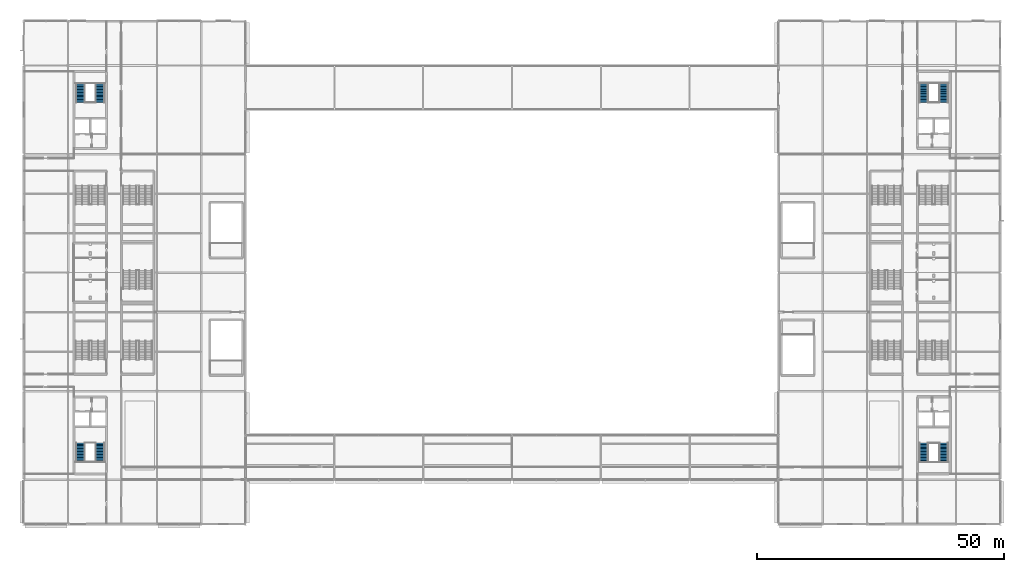
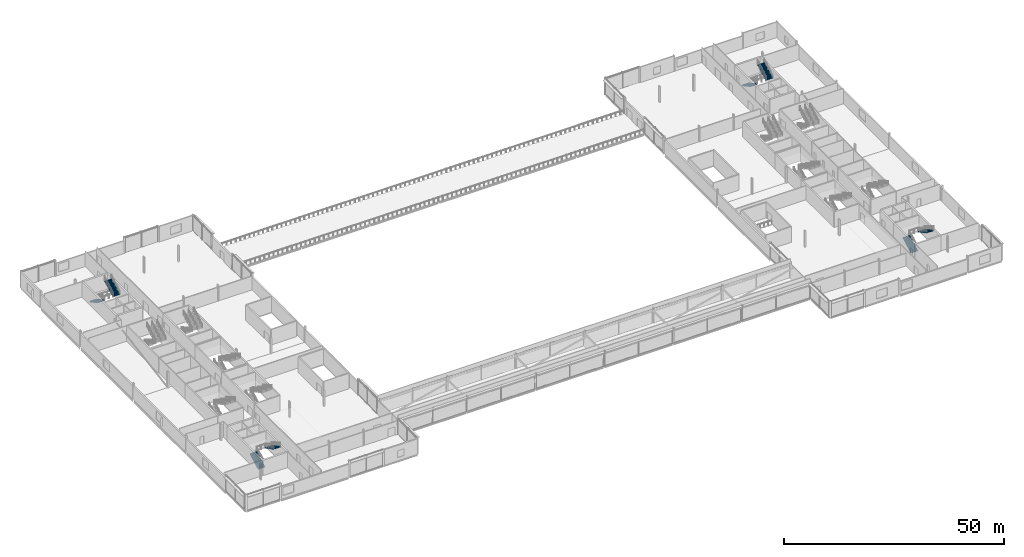
# One storey, part 47 of 73: 8 stair flights, 4 elements without a shape of their own.
"""IFC4 building model written with IfcOpenShell, lengths in metres."""

from ifc_helpers import new_model, si_unit, direction, frame, origin, place, context, subcontext, project, spatial, polyline, outline, extrude, material, type_object, element, aggregate, save


model = new_model("IFC4")

# Units and contexts
model_context = context("Model", 3, precision=1e-05, world=origin(), true_north=direction((0.0, 1.0)))
body_context = subcontext(model_context, "Body", "Model", "MODEL_VIEW")
ifc_project = project(units=[si_unit("LENGTHUNIT", "METRE"), si_unit("AREAUNIT", "SQUARE_METRE"), si_unit("VOLUMEUNIT", "CUBIC_METRE"), si_unit("PLANEANGLEUNIT", "RADIAN"), si_unit("MASSUNIT", "GRAM", prefix="KILO")], contexts=[model_context])

# Site, building, storey
site_placement = place(None, origin())
site = spatial("IfcSite", under=ifc_project, at=site_placement, CompositionType="ELEMENT")
building_placement = place(site_placement, origin())
building = spatial("IfcBuilding", under=site, at=building_placement, Name="Kisiwana Market Hall", CompositionType="ELEMENT")
storey_placement = place(building_placement, frame((0.0, 0.0, 33.300048828125)))
storey = spatial("IfcBuildingStorey", under=building, at=storey_placement, Name="L07", CompositionType="ELEMENT", Elevation=33.300048828125)

# Stair, stair flights
ifc_material_1 = material(Name="Concrete C32/40", Category="concrete")
stair_type = type_object("IfcStairType", Name="ST-TWR-4500", PredefinedType="TWO_STRAIGHT_RUN_STAIR", material=ifc_material_1)
stair_1_placement = place(storey_placement, origin())
stair_1 = element("IfcStair", 1, at=stair_1_placement, inside=storey, type_object=stair_type, Name="Escape stair ST-W2-L07", PredefinedType="TWO_STRAIGHT_RUN_STAIR")
ifc_material_2 = material(Name="Concrete C32/40", Category="concrete")
stair_flight_type = type_object("IfcStairFlightType", Name="SF-TWR-4500", PredefinedType="STRAIGHT", material=ifc_material_2)
stair_flight_1_placement = place(storey_placement, frame((11.5, 21.674560546875, 0.0), z_axis=(0.0, 0.0, 1.0), x_axis=(0.0, 1.0, 0.0)))
stair_flight_1 = element("IfcStairFlight", 2, at=stair_flight_1_placement, type_object=stair_flight_type, Name="ST-W2-L07 flight 1", NumberOfRisers=14, NumberOfTreads=13, PredefinedType="STRAIGHT", RiserHeight=0.160714, TreadLength=0.295, context=body_context, shape_type="SweptSolid", body=[
    extrude(outline(polyline([(0.0, 0.0), (0.0, 0.16064453125), (0.294921875, 0.16064453125), (0.294921875, 0.321533203125), (0.590087890625, 0.321533203125), (0.590087890625, 0.482177734375), (0.885009765625, 0.482177734375), (0.885009765625, 0.642822265625), (1.179931640625, 0.642822265625), (1.179931640625, 0.803466796875), (1.47509765625, 0.803466796875), (1.47509765625, 0.96435546875), (1.77001953125, 0.96435546875), (1.77001953125, 1.125), (2.06494140625, 1.125), (2.06494140625, 1.28564453125), (2.360107421875, 1.28564453125), (2.360107421875, 1.446533203125), (2.655029296875, 1.446533203125), (2.655029296875, 1.607177734375), (2.949951171875, 1.607177734375), (2.949951171875, 1.767822265625), (3.2451171875, 1.767822265625), (3.2451171875, 1.928466796875), (3.5400390625, 1.928466796875), (3.5400390625, 2.08935546875), (3.8349609375, 2.08935546875), (3.8349609375, 2.25), (3.8349609375, 1.88427734375), (0.376220703125, 0.0), (0.0, 0.0)])), frame((0.0, 0.925048828125, 0.0), z_axis=(0.0, -1.0, 0.0), x_axis=(1.0, 0.0, 0.0)), (0.0, 0.0, 1.0), 1.85009765625),
])
stair_flight_2_placement = place(storey_placement, frame((15.5, 25.509521484375, 2.25), z_axis=(0.0, 0.0, 1.0), x_axis=(0.0, -1.0, 0.0)))
stair_flight_2 = element("IfcStairFlight", 3, at=stair_flight_2_placement, type_object=stair_flight_type, Name="ST-W2-L07 flight 2", NumberOfRisers=14, NumberOfTreads=13, PredefinedType="STRAIGHT", RiserHeight=0.160714, TreadLength=0.295, context=body_context, shape_type="SweptSolid", body=[
    extrude(outline(polyline([(0.0, 0.0), (0.0, 0.16064453125), (0.294921875, 0.16064453125), (0.294921875, 0.321533203125), (0.590087890625, 0.321533203125), (0.590087890625, 0.482177734375), (0.885009765625, 0.482177734375), (0.885009765625, 0.642822265625), (1.179931640625, 0.642822265625), (1.179931640625, 0.803466796875), (1.47509765625, 0.803466796875), (1.47509765625, 0.96435546875), (1.77001953125, 0.96435546875), (1.77001953125, 1.125), (2.06494140625, 1.125), (2.06494140625, 1.28564453125), (2.360107421875, 1.28564453125), (2.360107421875, 1.446533203125), (2.655029296875, 1.446533203125), (2.655029296875, 1.607177734375), (2.949951171875, 1.607177734375), (2.949951171875, 1.767822265625), (3.2451171875, 1.767822265625), (3.2451171875, 1.928466796875), (3.5400390625, 1.928466796875), (3.5400390625, 2.08935546875), (3.8349609375, 2.08935546875), (3.8349609375, 2.25), (3.8349609375, 1.88427734375), (0.376220703125, 0.0), (0.0, 0.0)])), frame((0.0, 0.925048828125, 0.0), z_axis=(0.0, -1.0, 0.0), x_axis=(1.0, 0.0, 0.0)), (0.0, 0.0, 1.0), 1.85009765625),
])
aggregate(stair_1, [stair_flight_1, stair_flight_2])

stair_2_placement = place(storey_placement, origin())
stair_2 = element("IfcStair", 4, at=stair_2_placement, inside=storey, type_object=stair_type, Name="Escape stair ST-W1-L07", PredefinedType="TWO_STRAIGHT_RUN_STAIR")
stair_flight_3_placement = place(storey_placement, frame((11.5, 98.325439453125, 0.0), z_axis=(0.0, 0.0, 1.0), x_axis=(0.0, -1.0, 0.0)))
stair_flight_3 = element("IfcStairFlight", 5, at=stair_flight_3_placement, type_object=stair_flight_type, Name="ST-W1-L07 flight 1", NumberOfRisers=14, NumberOfTreads=13, PredefinedType="STRAIGHT", RiserHeight=0.160714, TreadLength=0.295, context=body_context, shape_type="SweptSolid", body=[
    extrude(outline(polyline([(0.0, 0.0), (0.0, 0.16064453125), (0.294921875, 0.16064453125), (0.294921875, 0.321533203125), (0.590087890625, 0.321533203125), (0.590087890625, 0.482177734375), (0.885009765625, 0.482177734375), (0.885009765625, 0.642822265625), (1.179931640625, 0.642822265625), (1.179931640625, 0.803466796875), (1.47509765625, 0.803466796875), (1.47509765625, 0.96435546875), (1.77001953125, 0.96435546875), (1.77001953125, 1.125), (2.06494140625, 1.125), (2.06494140625, 1.28564453125), (2.360107421875, 1.28564453125), (2.360107421875, 1.446533203125), (2.655029296875, 1.446533203125), (2.655029296875, 1.607177734375), (2.949951171875, 1.607177734375), (2.949951171875, 1.767822265625), (3.2451171875, 1.767822265625), (3.2451171875, 1.928466796875), (3.5400390625, 1.928466796875), (3.5400390625, 2.08935546875), (3.8349609375, 2.08935546875), (3.8349609375, 2.25), (3.8349609375, 1.88427734375), (0.376220703125, 0.0), (0.0, 0.0)])), frame((0.0, 0.925048828125, 0.0), z_axis=(0.0, -1.0, 0.0), x_axis=(1.0, 0.0, 0.0)), (0.0, 0.0, 1.0), 1.85009765625),
])
stair_flight_4_placement = place(storey_placement, frame((15.5, 94.490478515625, 2.25), z_axis=(0.0, 0.0, 1.0), x_axis=(0.0, 1.0, 0.0)))
stair_flight_4 = element("IfcStairFlight", 6, at=stair_flight_4_placement, type_object=stair_flight_type, Name="ST-W1-L07 flight 2", NumberOfRisers=14, NumberOfTreads=13, PredefinedType="STRAIGHT", RiserHeight=0.160714, TreadLength=0.295, context=body_context, shape_type="SweptSolid", body=[
    extrude(outline(polyline([(0.0, 0.0), (0.0, 0.16064453125), (0.294921875, 0.16064453125), (0.294921875, 0.321533203125), (0.590087890625, 0.321533203125), (0.590087890625, 0.482177734375), (0.885009765625, 0.482177734375), (0.885009765625, 0.642822265625), (1.179931640625, 0.642822265625), (1.179931640625, 0.803466796875), (1.47509765625, 0.803466796875), (1.47509765625, 0.96435546875), (1.77001953125, 0.96435546875), (1.77001953125, 1.125), (2.06494140625, 1.125), (2.06494140625, 1.28564453125), (2.360107421875, 1.28564453125), (2.360107421875, 1.446533203125), (2.655029296875, 1.446533203125), (2.655029296875, 1.607177734375), (2.949951171875, 1.607177734375), (2.949951171875, 1.767822265625), (3.2451171875, 1.767822265625), (3.2451171875, 1.928466796875), (3.5400390625, 1.928466796875), (3.5400390625, 2.08935546875), (3.8349609375, 2.08935546875), (3.8349609375, 2.25), (3.8349609375, 1.88427734375), (0.376220703125, 0.0), (0.0, 0.0)])), frame((0.0, 0.925048828125, 0.0), z_axis=(0.0, -1.0, 0.0), x_axis=(1.0, 0.0, 0.0)), (0.0, 0.0, 1.0), 1.85009765625),
])
aggregate(stair_2, [stair_flight_3, stair_flight_4])

stair_3_placement = place(storey_placement, origin())
stair_3 = element("IfcStair", 7, at=stair_3_placement, inside=storey, type_object=stair_type, Name="Escape stair ST-E2-L07", PredefinedType="TWO_STRAIGHT_RUN_STAIR")
stair_flight_5_placement = place(storey_placement, frame((182.47509765625, 21.6494140625, 0.0), z_axis=(0.0, 0.0, 1.0), x_axis=(0.0, 1.0, 0.0)))
stair_flight_5 = element("IfcStairFlight", 8, at=stair_flight_5_placement, type_object=stair_flight_type, Name="ST-E2-L07 flight 1", NumberOfRisers=14, NumberOfTreads=13, PredefinedType="STRAIGHT", RiserHeight=0.160714, TreadLength=0.295, context=body_context, shape_type="SweptSolid", body=[
    extrude(outline(polyline([(0.0, 0.0), (0.0, 0.16064453125), (0.294921875, 0.16064453125), (0.294921875, 0.321533203125), (0.590087890625, 0.321533203125), (0.590087890625, 0.482177734375), (0.885009765625, 0.482177734375), (0.885009765625, 0.642822265625), (1.179931640625, 0.642822265625), (1.179931640625, 0.803466796875), (1.47509765625, 0.803466796875), (1.47509765625, 0.96435546875), (1.77001953125, 0.96435546875), (1.77001953125, 1.125), (2.06494140625, 1.125), (2.06494140625, 1.28564453125), (2.360107421875, 1.28564453125), (2.360107421875, 1.446533203125), (2.655029296875, 1.446533203125), (2.655029296875, 1.607177734375), (2.949951171875, 1.607177734375), (2.949951171875, 1.767822265625), (3.2451171875, 1.767822265625), (3.2451171875, 1.928466796875), (3.5400390625, 1.928466796875), (3.5400390625, 2.08935546875), (3.8349609375, 2.08935546875), (3.8349609375, 2.25), (3.8349609375, 1.88427734375), (0.376220703125, 0.0), (0.0, 0.0)])), frame((0.0, 0.925048828125, 0.0), z_axis=(0.0, -1.0, 0.0), x_axis=(1.0, 0.0, 0.0)), (0.0, 0.0, 1.0), 1.85009765625),
])
stair_flight_6_placement = place(storey_placement, frame((186.52490234375, 25.484619140625, 2.25), z_axis=(0.0, 0.0, 1.0), x_axis=(0.0, -1.0, 0.0)))
stair_flight_6 = element("IfcStairFlight", 9, at=stair_flight_6_placement, type_object=stair_flight_type, Name="ST-E2-L07 flight 2", NumberOfRisers=14, NumberOfTreads=13, PredefinedType="STRAIGHT", RiserHeight=0.160714, TreadLength=0.295, context=body_context, shape_type="SweptSolid", body=[
    extrude(outline(polyline([(0.0, 0.0), (0.0, 0.16064453125), (0.294921875, 0.16064453125), (0.294921875, 0.321533203125), (0.590087890625, 0.321533203125), (0.590087890625, 0.482177734375), (0.885009765625, 0.482177734375), (0.885009765625, 0.642822265625), (1.179931640625, 0.642822265625), (1.179931640625, 0.803466796875), (1.47509765625, 0.803466796875), (1.47509765625, 0.96435546875), (1.77001953125, 0.96435546875), (1.77001953125, 1.125), (2.06494140625, 1.125), (2.06494140625, 1.28564453125), (2.360107421875, 1.28564453125), (2.360107421875, 1.446533203125), (2.655029296875, 1.446533203125), (2.655029296875, 1.607177734375), (2.949951171875, 1.607177734375), (2.949951171875, 1.767822265625), (3.2451171875, 1.767822265625), (3.2451171875, 1.928466796875), (3.5400390625, 1.928466796875), (3.5400390625, 2.08935546875), (3.8349609375, 2.08935546875), (3.8349609375, 2.25), (3.8349609375, 1.88427734375), (0.376220703125, 0.0), (0.0, 0.0)])), frame((0.0, 0.925048828125, 0.0), z_axis=(0.0, -1.0, 0.0), x_axis=(1.0, 0.0, 0.0)), (0.0, 0.0, 1.0), 1.85009765625),
])
aggregate(stair_3, [stair_flight_5, stair_flight_6])

stair_4_placement = place(storey_placement, origin())
stair_4 = element("IfcStair", 10, at=stair_4_placement, inside=storey, type_object=stair_type, Name="Escape stair ST-E1-L07", PredefinedType="TWO_STRAIGHT_RUN_STAIR")
stair_flight_7_placement = place(storey_placement, frame((182.47509765625, 98.3505859375, 0.0), z_axis=(0.0, 0.0, 1.0), x_axis=(0.0, -1.0, 0.0)))
stair_flight_7 = element("IfcStairFlight", 11, at=stair_flight_7_placement, type_object=stair_flight_type, Name="ST-E1-L07 flight 1", NumberOfRisers=14, NumberOfTreads=13, PredefinedType="STRAIGHT", RiserHeight=0.160714, TreadLength=0.295, context=body_context, shape_type="SweptSolid", body=[
    extrude(outline(polyline([(0.0, 0.0), (0.0, 0.16064453125), (0.294921875, 0.16064453125), (0.294921875, 0.321533203125), (0.590087890625, 0.321533203125), (0.590087890625, 0.482177734375), (0.885009765625, 0.482177734375), (0.885009765625, 0.642822265625), (1.179931640625, 0.642822265625), (1.179931640625, 0.803466796875), (1.47509765625, 0.803466796875), (1.47509765625, 0.96435546875), (1.77001953125, 0.96435546875), (1.77001953125, 1.125), (2.06494140625, 1.125), (2.06494140625, 1.28564453125), (2.360107421875, 1.28564453125), (2.360107421875, 1.446533203125), (2.655029296875, 1.446533203125), (2.655029296875, 1.607177734375), (2.949951171875, 1.607177734375), (2.949951171875, 1.767822265625), (3.2451171875, 1.767822265625), (3.2451171875, 1.928466796875), (3.5400390625, 1.928466796875), (3.5400390625, 2.08935546875), (3.8349609375, 2.08935546875), (3.8349609375, 2.25), (3.8349609375, 1.88427734375), (0.376220703125, 0.0), (0.0, 0.0)])), frame((0.0, 0.925048828125, 0.0), z_axis=(0.0, -1.0, 0.0), x_axis=(1.0, 0.0, 0.0)), (0.0, 0.0, 1.0), 1.85009765625),
])
stair_flight_8_placement = place(storey_placement, frame((186.52490234375, 94.515380859375, 2.25), z_axis=(0.0, 0.0, 1.0), x_axis=(0.0, 1.0, 0.0)))
stair_flight_8 = element("IfcStairFlight", 12, at=stair_flight_8_placement, type_object=stair_flight_type, Name="ST-E1-L07 flight 2", NumberOfRisers=14, NumberOfTreads=13, PredefinedType="STRAIGHT", RiserHeight=0.160714, TreadLength=0.295, context=body_context, shape_type="SweptSolid", body=[
    extrude(outline(polyline([(0.0, 0.0), (0.0, 0.16064453125), (0.294921875, 0.16064453125), (0.294921875, 0.321533203125), (0.590087890625, 0.321533203125), (0.590087890625, 0.482177734375), (0.885009765625, 0.482177734375), (0.885009765625, 0.642822265625), (1.179931640625, 0.642822265625), (1.179931640625, 0.803466796875), (1.47509765625, 0.803466796875), (1.47509765625, 0.96435546875), (1.77001953125, 0.96435546875), (1.77001953125, 1.125), (2.06494140625, 1.125), (2.06494140625, 1.28564453125), (2.360107421875, 1.28564453125), (2.360107421875, 1.446533203125), (2.655029296875, 1.446533203125), (2.655029296875, 1.607177734375), (2.949951171875, 1.607177734375), (2.949951171875, 1.767822265625), (3.2451171875, 1.767822265625), (3.2451171875, 1.928466796875), (3.5400390625, 1.928466796875), (3.5400390625, 2.08935546875), (3.8349609375, 2.08935546875), (3.8349609375, 2.25), (3.8349609375, 1.88427734375), (0.376220703125, 0.0), (0.0, 0.0)])), frame((0.0, 0.925048828125, 0.0), z_axis=(0.0, -1.0, 0.0), x_axis=(1.0, 0.0, 0.0)), (0.0, 0.0, 1.0), 1.85009765625),
])
aggregate(stair_4, [stair_flight_7, stair_flight_8])

save(model, "model.ifc")
